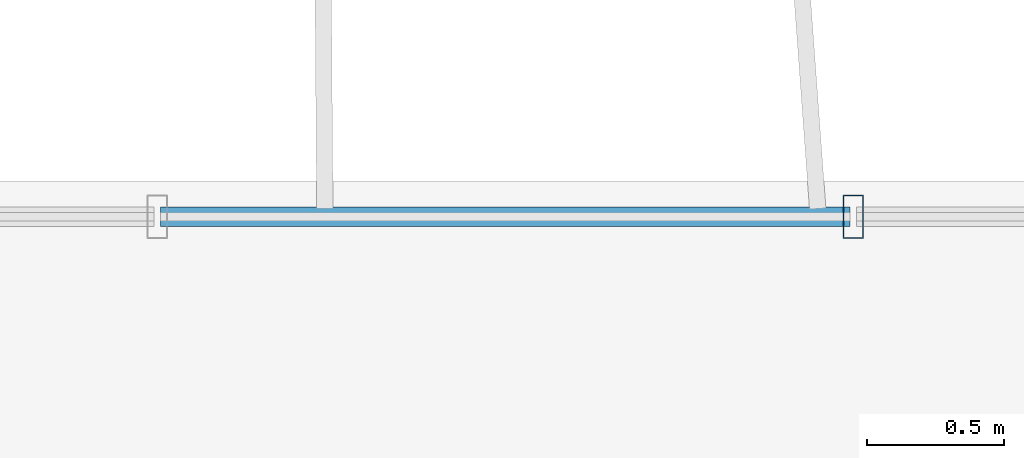
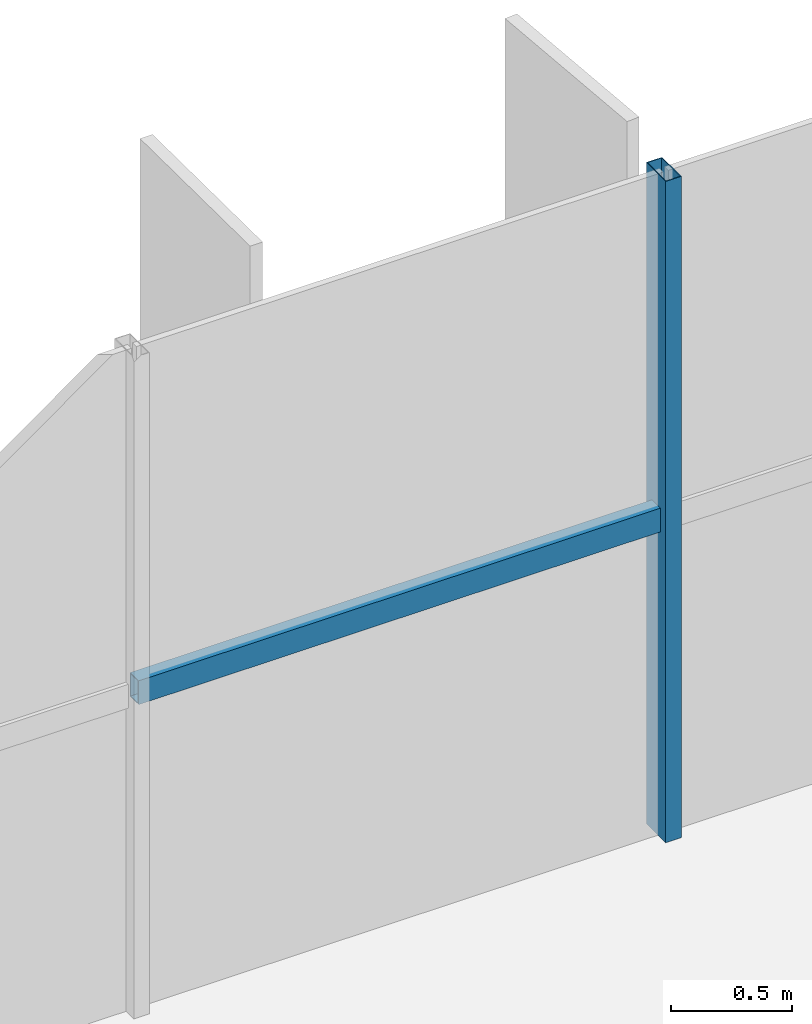
# One storey, part 8 of 24: 2 members, 1 element without a shape of its own.
"""IFC4 building model written with IfcOpenShell, lengths in metres."""

import ifcopenshell
import ifcopenshell.guid

model = None  # the IFC model being written
_history = None  # IfcOwnerHistory: only IFC2X3 demands one
_inside = {}  # id of a spatial element -> (the spatial element, [elements in it])
_under = {}  # id of a project, library or spatial element -> (it, [spatial elements below it])
_declared = {}  # id of a project -> (the project, [libraries it declares])
_typed = {}  # id of a type object -> (the type object, [elements of that type])
_made_of = {}  # id of a material, layer set ... -> (it, [elements and type objects made of it])


def new_model(schema):
    """Start an empty IFC model of exactly this schema.

    Asked for "IFC4X3", IfcOpenShell would pick the latest addendum, in which some entities
    have other attributes; the version numbers below select the first issue.
    IFC2X3 requires an IfcOwnerHistory on every rooted entity: one is made here for all.
    """
    global model, _history
    if schema == "IFC4X3":
        model = ifcopenshell.file(schema_version=(4, 3, 0, 0))
    else:
        model = ifcopenshell.file(schema=schema)
    _inside.clear()
    _under.clear()
    _declared.clear()
    _typed.clear()
    _made_of.clear()
    _history = None
    if model.schema == "IFC2X3":
        org = make("IfcOrganization", Name="unknown")
        user = make(
            "IfcPersonAndOrganization",
            ThePerson=make("IfcPerson", FamilyName="unknown"),
            TheOrganization=org,
        )
        app = make(
            "IfcApplication",
            ApplicationDeveloper=org,
            Version="unknown",
            ApplicationFullName="unknown",
            ApplicationIdentifier="unknown",
        )
        _history = make(
            "IfcOwnerHistory",
            OwningUser=user,
            OwningApplication=app,
            ChangeAction="ADDED",
            CreationDate=0,
        )
    return model


def make(cls, **values):
    """One entity of the class cls with the attributes given. An attribute that is None is left unset."""
    return model.create_entity(
        cls, **{name: value for name, value in values.items() if value is not None}
    )


def rooted(cls, **values):
    """An entity with a GlobalId (a new one), such as an element, a storey or a relation."""
    return make(cls, GlobalId=ifcopenshell.guid.new(), OwnerHistory=_history, **values)


def si_unit(unit_type, name, prefix=None):
    """IfcSIUnit, for example si_unit("LENGTHUNIT", "METRE", prefix="MILLI")."""
    return make("IfcSIUnit", UnitType=unit_type, Prefix=prefix, Name=name)


def assignment(units):
    """IfcUnitAssignment: the units of a project."""
    return None if units is None else make("IfcUnitAssignment", Units=units)


def point(xyz):
    """IfcCartesianPoint."""
    return None if xyz is None else make("IfcCartesianPoint", Coordinates=xyz)


def direction(xyz):
    """IfcDirection."""
    return None if xyz is None else make("IfcDirection", DirectionRatios=xyz)


def frame(location, z_axis=None, x_axis=None):
    """IfcAxis2Placement3D, a coordinate frame: its origin and axes. An axis left out is left unset."""
    return make(
        "IfcAxis2Placement3D",
        Location=point(location),
        Axis=direction(z_axis),
        RefDirection=direction(x_axis),
    )


def frame_2d(location, x_axis=None):
    """IfcAxis2Placement2D, a coordinate frame in the plane: its origin and x axis."""
    return make(
        "IfcAxis2Placement2D", Location=point(location), RefDirection=direction(x_axis)
    )


def origin():
    """The frame at (0, 0, 0) with its axes left unset."""
    return frame((0.0, 0.0, 0.0))


def origin_2d():
    """The frame at (0, 0) in the plane with its x axis left unset."""
    return frame_2d((0.0, 0.0))


def place(relative_to, where):
    """IfcLocalPlacement: puts the frame where relative to a parent placement (None: the world)."""
    return make(
        "IfcLocalPlacement", PlacementRelTo=relative_to, RelativePlacement=where
    )


def context(
    kind, dimensions, precision=None, world=None, true_north=None, identifier=None
):
    """IfcGeometricRepresentationContext, for example the 3D "Model" context."""
    return make(
        "IfcGeometricRepresentationContext",
        ContextIdentifier=identifier,
        ContextType=kind,
        CoordinateSpaceDimension=dimensions,
        Precision=precision,
        WorldCoordinateSystem=world,
        TrueNorth=true_north,
    )


def subcontext(parent, identifier, kind, view, scale=None):
    """IfcGeometricRepresentationSubContext, for example "Body" below "Model"."""
    return make(
        "IfcGeometricRepresentationSubContext",
        ContextIdentifier=identifier,
        ContextType=kind,
        ParentContext=parent,
        TargetScale=scale,
        TargetView=view,
    )


def project(units=None, contexts=None):
    """IfcProject with its units and contexts."""
    return rooted(
        "IfcProject",
        Name="project",
        RepresentationContexts=contexts,
        UnitsInContext=assignment(units),
    )


def spatial(cls, under=None, at=None, **own):
    """A site, building, storey or space (cls), placed at a placement, below another one or the project."""
    s = rooted(cls, ObjectPlacement=at, **own)
    if under is not None:
        _under.setdefault(under.id(), (under, []))[1].append(s)
    return s


def profile(cls, at=None, kind="AREA", **sizes):
    """A parametric profile (cls). Its sizes go by their IFC names, for example OverallWidth=200.0."""
    return make(cls, ProfileType=kind, Position=at, **sizes)


def hollow_rectangle(**sizes):
    """IfcRectangleHollowProfileDef."""
    return profile("IfcRectangleHollowProfileDef", **sizes)


def extrude(swept, where, along, depth):
    """IfcExtrudedAreaSolid: the profile swept, set in the frame where, extruded along a direction by depth."""
    return make(
        "IfcExtrudedAreaSolid",
        SweptArea=swept,
        Position=where,
        ExtrudedDirection=direction(along),
        Depth=depth,
    )


def shape(context_of_items, identifier, shape_type, items):
    """IfcShapeRepresentation: the items that make up one representation, for example the "Body"."""
    return make(
        "IfcShapeRepresentation",
        ContextOfItems=context_of_items,
        RepresentationIdentifier=identifier,
        RepresentationType=shape_type,
        Items=items,
    )


def source(mapping_origin, context_of_items, identifier, shape_type, items):
    """IfcRepresentationMap: a shape defined once, which mapped items show again and again."""
    return make(
        "IfcRepresentationMap",
        MappingOrigin=mapping_origin,
        MappedRepresentation=shape(context_of_items, identifier, shape_type, items),
    )


def transform(
    local_origin,
    x_axis=None,
    y_axis=None,
    z_axis=None,
    scale=None,
    scale2=None,
    scale3=None,
    uniform=True,
):
    """IfcCartesianTransformationOperator3D, or its non-uniform kind. x_axis, y_axis, z_axis: its Axis1, 2, 3."""
    if uniform:
        return make(
            "IfcCartesianTransformationOperator3D",
            Axis1=direction(x_axis),
            Axis2=direction(y_axis),
            LocalOrigin=point(local_origin),
            Scale=scale,
            Axis3=direction(z_axis),
        )
    return make(
        "IfcCartesianTransformationOperator3DnonUniform",
        Axis1=direction(x_axis),
        Axis2=direction(y_axis),
        LocalOrigin=point(local_origin),
        Scale=scale,
        Axis3=direction(z_axis),
        Scale2=scale2,
        Scale3=scale3,
    )


def mapped(mapping_source, mapping_target):
    """IfcMappedItem: shows the shape of a source again, moved by a transform."""
    return make(
        "IfcMappedItem", MappingSource=mapping_source, MappingTarget=mapping_target
    )


def material(Name=None, Category=None):
    """IfcMaterial."""
    return make("IfcMaterial", Name=Name, Category=Category)


def material_profile(
    of_material, cross_section, Name=None, Category=None, Priority=None
):
    """IfcMaterialProfile: a cross section and its material."""
    return make(
        "IfcMaterialProfile",
        Name=Name,
        Material=of_material,
        Profile=cross_section,
        Priority=Priority,
        Category=Category,
    )


def profile_set(profiles, Name=None, composite=None):
    """IfcMaterialProfileSet."""
    return make(
        "IfcMaterialProfileSet",
        Name=Name,
        MaterialProfiles=profiles,
        CompositeProfile=composite,
    )


def made_of(thing, what):
    """Note that an element or type object is made of a material, layer set ...; save() writes the relation."""
    if what is not None:
        _made_of.setdefault(what.id(), (what, []))[1].append(thing)
    return thing


def type_object(cls, material=None, **own):
    """A type object (cls), such as IfcWallType, which elements share."""
    return made_of(rooted(cls, **own), material)


def element(
    cls,
    number,
    at=None,
    inside=None,
    cuts=None,
    type_object=None,
    material=None,
    context=None,
    identifier="Body",
    shape_type=None,
    held_by="IfcProductDefinitionShape",
    body=None,
    shapes=None,
    **own,
):
    """One element of the class cls, such as IfcWall. Its Tag is "e" and its number.

    at: its placement. inside: the storey or other place that contains it. cuts: it is an
    opening in that element (IfcRelVoidsElement). A single representation is given by context,
    identifier, shape_type and body (its items); several are given by shapes. held_by: the class
    of the entity that holds the representations. save() writes the other relations.
    """
    e = rooted(cls, Tag="e%d" % number, ObjectPlacement=at, **own)
    if body is not None:
        shapes = [shape(context, identifier, shape_type, body)]
    if shapes is not None:
        e.Representation = make(held_by, Representations=shapes)
    if inside is not None:
        _inside.setdefault(inside.id(), (inside, []))[1].append(e)
    if cuts is not None:
        rooted(
            "IfcRelVoidsElement", RelatingBuildingElement=cuts, RelatedOpeningElement=e
        )
    if type_object is not None:
        _typed.setdefault(type_object.id(), (type_object, []))[1].append(e)
    return made_of(e, material)


def aggregate(whole, parts):
    """IfcRelAggregates: a whole, such as a stair, and the parts it consists of."""
    return rooted("IfcRelAggregates", RelatingObject=whole, RelatedObjects=parts)


def save(model, path):
    """Write the relations noted so far, then the file.

    IfcRelAggregates (storeys below a building ...), IfcRelContainedInSpatialStructure (elements
    in a storey), IfcRelDefinesByType, IfcRelAssociatesMaterial and IfcRelDeclares: one each for
    every whole, place, type object, material and project.
    """
    for whole, parts in _under.values():
        aggregate(whole, parts)
    for where, things in _inside.values():
        rooted(
            "IfcRelContainedInSpatialStructure",
            RelatedElements=things,
            RelatingStructure=where,
        )
    for kind, things in _typed.values():
        rooted("IfcRelDefinesByType", RelatedObjects=things, RelatingType=kind)
    for what, things in _made_of.values():
        rooted("IfcRelAssociatesMaterial", RelatedObjects=things, RelatingMaterial=what)
    for by, libraries in _declared.values():
        rooted("IfcRelDeclares", RelatingContext=by, RelatedDefinitions=libraries)
    model.write(path)


model = new_model("IFC4")

# Units and contexts
model_context = context("Model", 3, precision=1e-05, world=origin(), true_north=direction((0.0, 1.0)))
body_context = subcontext(model_context, "Body", "Model", "MODEL_VIEW")
ifc_project = project(units=[si_unit("LENGTHUNIT", "METRE"), si_unit("AREAUNIT", "SQUARE_METRE"), si_unit("VOLUMEUNIT", "CUBIC_METRE"), si_unit("PLANEANGLEUNIT", "RADIAN"), si_unit("MASSUNIT", "GRAM", prefix="KILO")], contexts=[model_context])

# Site, building, storey
site_placement = place(None, origin())
site = spatial("IfcSite", under=ifc_project, at=site_placement, CompositionType="ELEMENT")
building_placement = place(site_placement, origin())
building = spatial("IfcBuilding", under=site, at=building_placement, Name="Trelvane Seafront Commons", CompositionType="ELEMENT")
storey_placement = place(building_placement, frame((0.0, 0.0, 30.699951171875)))
storey = spatial("IfcBuildingStorey", under=building, at=storey_placement, Name="L07", CompositionType="ELEMENT", Elevation=30.699951171875)

# Curtain wall, members
ifc_material = material(Name="Anodised pale-silver aluminium", Category="aluminium")
curtain_wall_type = type_object("IfcCurtainWallType", Name="ARCH-CW2-LOWTOWER", PredefinedType="NOTDEFINED", material=ifc_material)
curtain_wall_placement = place(storey_placement, origin())
curtain_wall = element("IfcCurtainWall", 1, at=curtain_wall_placement, inside=storey, type_object=curtain_wall_type, Name="CW-L07-0031", PredefinedType="NOTDEFINED")
ifc_material_profile_1 = material_profile(ifc_material, hollow_rectangle(XDim=0.074951171875, YDim=0.159912109375, WallThickness=0.00390625, at=origin_2d()), Name="MULL-75x160x4")
ifc_profile_set_1 = profile_set([ifc_material_profile_1], Name="Anodised pale-silver aluminium")
member_type_1 = type_object("IfcMemberType", Name="ARCH-CW-MULL-160", PredefinedType="MULLION", material=ifc_profile_set_1)
shared_shape_1 = source(origin(), body_context, "Body", "SweptSolid", [
    extrude(hollow_rectangle(XDim=0.074951171875, YDim=0.159912109375, WallThickness=0.00390625, at=origin_2d()), origin(), (0.0, 0.0, 1.0), 3.340087890625),
])
member_1_placement = place(storey_placement, frame((35.929443359375, 48.3701171875, 0.0), z_axis=(0.0, 0.0, 1.0), x_axis=(1.0, 0.0, 0.0)))
member_1 = element("IfcMember", 2, at=member_1_placement, type_object=member_type_1, Name="CW-L07-0031-M08", PredefinedType="MULLION", context=body_context, shape_type="MappedRepresentation", body=[
    mapped(shared_shape_1, transform((0.0, 0.0, 0.0), x_axis=(1.0, 0.0, 0.0), y_axis=(0.0, 1.0, 0.0), z_axis=(0.0, 0.0, 1.0), scale=1.0)),
])
ifc_material_profile_2 = material_profile(ifc_material, hollow_rectangle(XDim=0.070068359375, YDim=0.1201171875, WallThickness=0.00390625, at=origin_2d()), Name="TRAN-70x120x4")
ifc_profile_set_2 = profile_set([ifc_material_profile_2], Name="Anodised pale-silver aluminium")
member_type_2 = type_object("IfcMemberType", Name="ARCH-CW-TRAN-120", PredefinedType="USERDEFINED", material=ifc_profile_set_2)
shared_shape_2 = source(origin(), body_context, "Body", "SweptSolid", [
    extrude(hollow_rectangle(XDim=0.070068359375, YDim=0.1201171875, WallThickness=0.00390625, at=origin_2d()), origin(), (0.0, 0.0, 1.0), 2.517333984375),
])
member_2_placement = place(storey_placement, frame((33.400146484375, 48.3701171875, 1.60302734375), z_axis=(1.0, 0.0, 0.0), x_axis=(0.0, 1.0, 0.0)))
member_2 = element("IfcMember", 3, at=member_2_placement, type_object=member_type_2, Name="CW-L07-0031-T07", ObjectType="TRANSOM", PredefinedType="USERDEFINED", context=body_context, shape_type="MappedRepresentation", body=[
    mapped(shared_shape_2, transform((0.0, 0.0, 0.0), x_axis=(1.0, 0.0, 0.0), y_axis=(0.0, 1.0, 0.0), z_axis=(0.0, 0.0, 1.0), scale=1.0)),
])
aggregate(curtain_wall, [member_1, member_2])

save(model, "model.ifc")
